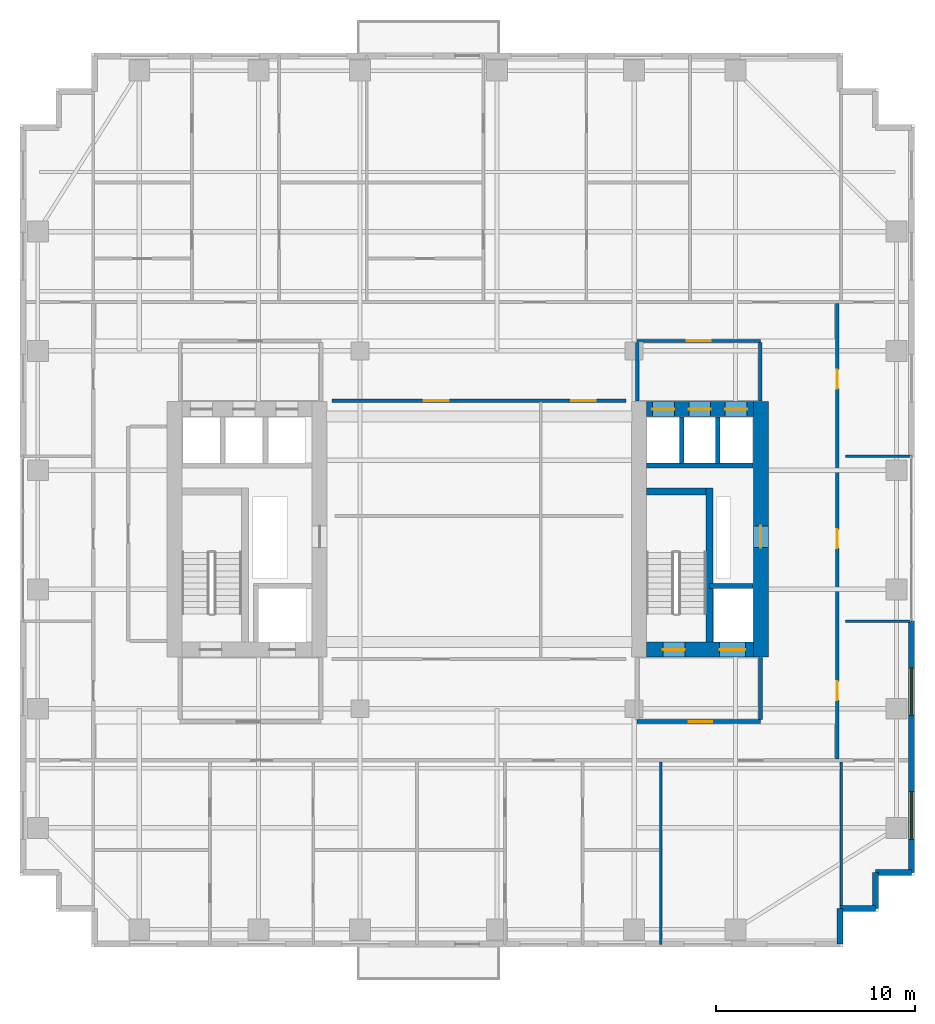
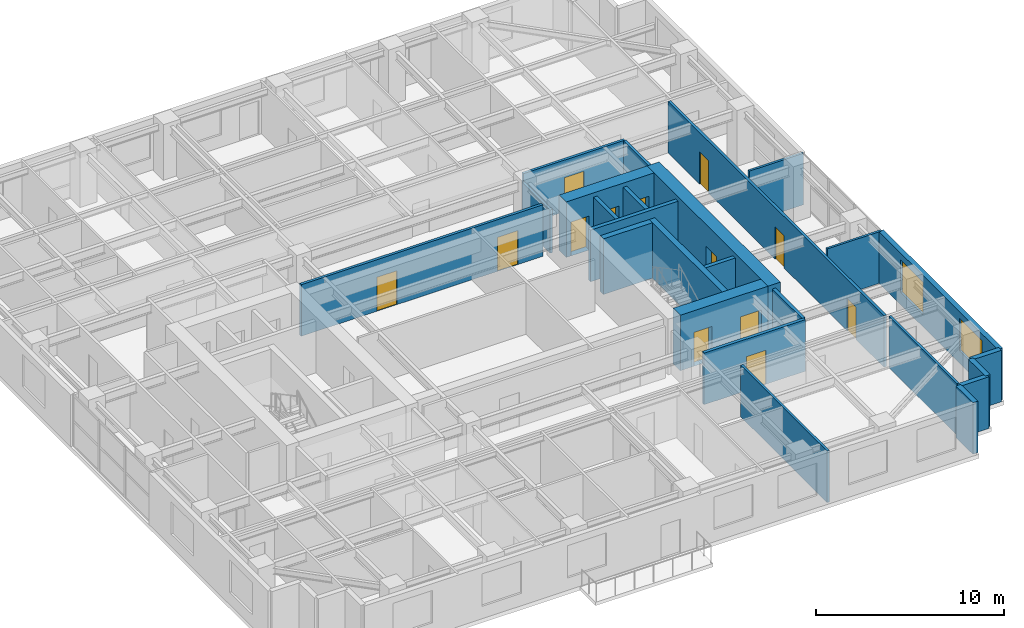
# One storey, part 10 of 16: 25 walls, 13 doors, 2 windows, 15 openings.
"""IFC4 building model written with IfcOpenShell, lengths in metres."""

from ifc_helpers import new_model, si_unit, direction, frame, frame_2d, origin, place, context, subcontext, project, spatial, rectangle, extrude, source, transform, mapped, material, layer, layer_set, type_object, element, fill, save


model = new_model("IFC4")

# Units and contexts
model_context = context("Model", 3, precision=1e-05, world=origin(), true_north=direction((0.0, 1.0)))
body_context = subcontext(model_context, "Body", "Model", "MODEL_VIEW")
ifc_project = project(units=[si_unit("LENGTHUNIT", "METRE"), si_unit("AREAUNIT", "SQUARE_METRE"), si_unit("VOLUMEUNIT", "CUBIC_METRE"), si_unit("PLANEANGLEUNIT", "RADIAN"), si_unit("MASSUNIT", "GRAM", prefix="KILO")], contexts=[model_context])

# Site, building, storey
site_placement = place(None, origin())
site = spatial("IfcSite", under=ifc_project, at=site_placement, CompositionType="ELEMENT")
building_placement = place(site_placement, origin())
building = spatial("IfcBuilding", under=site, at=building_placement, Name="Khoralis Quay Care Tower", CompositionType="ELEMENT")
storey_placement = place(building_placement, frame((0.0, 0.0, 137.699951171875)))
storey = spatial("IfcBuildingStorey", under=building, at=storey_placement, Name="L36", CompositionType="ELEMENT", Elevation=137.699951171875)

# Wall, opening, door
ifc_material_1 = material(Name="Gypsum plasterboard on acoustic metal stud")
ifc_layer_1 = layer(ifc_material_1, 0.199951171875)
ifc_layer_set_1 = layer_set([ifc_layer_1], Name="Gypsum plasterboard on acoustic metal stud")
wall_type_1 = type_object("IfcWallType", Name="WL-COMP-200", PredefinedType="PARTITIONING", material=ifc_layer_set_1)
wall_1_placement = place(storey_placement, frame((31.050048828125, 11.35009765625, 0.0), z_axis=(0.0, 0.0, 1.0), x_axis=(1.0, 0.0, 0.0)))
wall_1 = element("IfcWall", 1, at=wall_1_placement, inside=storey, type_object=wall_type_1, Name="L36 East Firefighting Lobby South Wall", PredefinedType="PARTITIONING", context=body_context, shape_type="SweptSolid", body=[
    extrude(rectangle(XDim=6.199951171875, YDim=0.199951171875, at=frame_2d((3.10009765625, 0.0))), origin(), (0.0, 0.0, 1.0), 3.340087890625),
])
opening_1_placement = place(wall_1_placement, frame((2.585693359375, 0.0, 0.0)))
opening_1 = element("IfcOpeningElement", 2, at=opening_1_placement, cuts=wall_1, Name="Opening FD1", PredefinedType="OPENING", context=body_context, shape_type="SweptSolid", body=[
    extrude(rectangle(XDim=1.199951171875, YDim=2.199951171875, at=frame_2d((0.60009765625, 1.10009765625))), frame((0.0, 0.10986328125, 0.0), z_axis=(0.0, -1.0, 0.0), x_axis=(1.0, 0.0, 0.0)), (0.0, 0.0, 1.0), 0.219970703125),
])
ifc_material_2 = material(Name="Fire-rated painted steel", Category="steel")
door_type_1 = type_object("IfcDoorType", Name="DR-FFL-1200X2200", OperationType="NOTDEFINED", PredefinedType="DOOR", material=ifc_material_2)
shared_shape_1 = source(origin(), body_context, "Body", "SweptSolid", [
    extrude(rectangle(XDim=1.199951171875, YDim=2.199951171875, at=frame_2d((0.60009765625, 1.10009765625))), frame((0.0, 0.02490234375, 0.0), z_axis=(0.0, -1.0, 0.0), x_axis=(1.0, 0.0, 0.0)), (0.0, 0.0, 1.0), 0.050048828125),
])
door_1_placement = place(opening_1_placement, origin())
door_1 = element("IfcDoor", 3, at=door_1_placement, inside=storey, type_object=door_type_1, Name="L36 East Firefighting Lobby Fire Door", OperationType="SINGLE_SWING_LEFT", OverallHeight=2.199951171875, OverallWidth=1.199951171875, PredefinedType="DOOR", context=body_context, shape_type="MappedRepresentation", body=[
    mapped(shared_shape_1, transform((0.0, 0.0, 0.0), scale=1.0)),
])
fill(opening_1, door_1)

# Wall
wall_2_placement = place(storey_placement, frame((37.25, 11.445068359375, 0.0), z_axis=(0.0, 0.0, 1.0), x_axis=(0.0, 1.0, 0.0)))
element("IfcWall", 4, at=wall_2_placement, inside=storey, type_object=wall_type_1, Name="L36 East Firefighting Lobby East Wall", PredefinedType="PARTITIONING", context=body_context, shape_type="SweptSolid", body=[
    extrude(rectangle(XDim=3.135009765625, YDim=0.199951171875, at=frame_2d((1.5673828125, 0.0))), origin(), (0.0, 0.0, 1.0), 3.340087890625),
])

# Wall, opening, door
ifc_material_3 = material(Name="Concrete C80/95", Category="concrete")
ifc_layer_2 = layer(ifc_material_3, 0.75)
ifc_layer_set_2 = layer_set([ifc_layer_2], Name="Concrete C80/95")
wall_type_2 = type_object("IfcWallType", Name="WL-CORE-750", PredefinedType="SHEAR", material=ifc_layer_set_2)
wall_3_placement = place(storey_placement, frame((37.27490234375, 14.60009765625, 0.0), z_axis=(0.0, 0.0, 1.0), x_axis=(0.0, 1.0, 0.0)))
wall_3 = element("IfcWall", 5, at=wall_3_placement, inside=storey, type_object=wall_type_2, Name="L36 ECORE East Shear Wall", PredefinedType="SHEAR", context=body_context, shape_type="SweptSolid", body=[
    extrude(rectangle(XDim=12.849853515625, YDim=0.75, at=frame_2d((6.4248046875, 0.0))), origin(), (0.0, 0.0, 1.0), 3.60009765625),
])
opening_2_placement = place(wall_3_placement, frame((5.5, 0.0, 0.0)))
opening_2 = element("IfcOpeningElement", 6, at=opening_2_placement, cuts=wall_3, Name="Opening SD1", PredefinedType="OPENING", context=body_context, shape_type="SweptSolid", body=[
    extrude(rectangle(XDim=1.10009765625, YDim=2.199951171875, at=frame_2d((0.550048828125, 1.10009765625))), frame((0.0, 0.385009765625, 0.0), z_axis=(0.0, -1.0, 0.0), x_axis=(1.0, 0.0, 0.0)), (0.0, 0.0, 1.0), 0.77001953125),
])
door_type_2 = type_object("IfcDoorType", Name="DR-STAIR-1100X2200", OperationType="NOTDEFINED", PredefinedType="DOOR", material=ifc_material_2)
shared_shape_2 = source(origin(), body_context, "Body", "SweptSolid", [
    extrude(rectangle(XDim=1.10009765625, YDim=2.199951171875, at=frame_2d((0.550048828125, 1.10009765625))), frame((0.0, 0.02490234375, 0.0), z_axis=(0.0, -1.0, 0.0), x_axis=(1.0, 0.0, 0.0)), (0.0, 0.0, 1.0), 0.050048828125),
])
door_2_placement = place(opening_2_placement, frame((1.10009765625, 0.0, 0.0), z_axis=(0.0, 0.0, 1.0), x_axis=(-1.0, 0.0, 0.0)))
door_2 = element("IfcDoor", 7, at=door_2_placement, inside=storey, type_object=door_type_2, Name="L36 East MEP Riser Door", OperationType="SINGLE_SWING_LEFT", OverallHeight=2.199951171875, OverallWidth=1.10009765625, PredefinedType="DOOR", context=body_context, shape_type="MappedRepresentation", body=[
    mapped(shared_shape_2, transform((0.0, 0.0, 0.0), scale=1.0)),
])
fill(opening_2, door_2)

# Wall, openings, doors
wall_4_placement = place(storey_placement, frame((31.52001953125, 14.97509765625, 0.0), z_axis=(0.0, 0.0, 1.0), x_axis=(1.0, 0.0, 0.0)))
wall_4 = element("IfcWall", 8, at=wall_4_placement, inside=storey, type_object=wall_type_2, Name="L36 ECORE South Shear Wall", PredefinedType="SHEAR", context=body_context, shape_type="SweptSolid", body=[
    extrude(rectangle(XDim=5.3798828125, YDim=0.75, at=frame_2d((2.68994140625, 0.0))), origin(), (0.0, 0.0, 1.0), 3.60009765625),
])
opening_3_placement = place(wall_4_placement, frame((0.830078125, 0.0, 0.0)))
opening_3 = element("IfcOpeningElement", 9, at=opening_3_placement, cuts=wall_4, Name="Opening SD1", PredefinedType="OPENING", context=body_context, shape_type="SweptSolid", body=[
    extrude(rectangle(XDim=1.10009765625, YDim=2.199951171875, at=frame_2d((0.550048828125, 1.10009765625))), frame((0.0, 0.385009765625, 0.0), z_axis=(0.0, -1.0, 0.0), x_axis=(1.0, 0.0, 0.0)), (0.0, 0.0, 1.0), 0.77001953125),
])
opening_4_placement = place(wall_4_placement, frame((3.679931640625, 0.0, 0.0)))
opening_4 = element("IfcOpeningElement", 10, at=opening_4_placement, cuts=wall_4, Name="Opening LD2", PredefinedType="OPENING", context=body_context, shape_type="SweptSolid", body=[
    extrude(rectangle(XDim=1.300048828125, YDim=2.199951171875, at=frame_2d((0.64990234375, 1.10009765625))), frame((0.0, 0.385009765625, 0.0), z_axis=(0.0, -1.0, 0.0), x_axis=(1.0, 0.0, 0.0)), (0.0, 0.0, 1.0), 0.77001953125),
])
door_3_placement = place(opening_3_placement, origin())
door_3 = element("IfcDoor", 11, at=door_3_placement, inside=storey, type_object=door_type_2, Name="L36 Stair ST-T2 Fire Door", OperationType="SINGLE_SWING_LEFT", OverallHeight=2.199951171875, OverallWidth=1.10009765625, PredefinedType="DOOR", context=body_context, shape_type="MappedRepresentation", body=[
    mapped(shared_shape_2, transform((0.0, 0.0, 0.0), scale=1.0)),
])
fill(opening_3, door_3)
ifc_material_4 = material(Name="Brushed stainless steel", Category="steel")
door_type_3 = type_object("IfcDoorType", Name="DR-LIFT-1300X2200", OperationType="SLIDING_TO_RIGHT", PredefinedType="DOOR", material=ifc_material_4)
shared_shape_3 = source(origin(), body_context, "Body", "SweptSolid", [
    extrude(rectangle(XDim=1.300048828125, YDim=2.199951171875, at=frame_2d((0.64990234375, 1.10009765625))), frame((0.0, 0.02490234375, 0.0), z_axis=(0.0, -1.0, 0.0), x_axis=(1.0, 0.0, 0.0)), (0.0, 0.0, 1.0), 0.050048828125),
])
door_4_placement = place(opening_4_placement, origin())
door_4 = element("IfcDoor", 12, at=door_4_placement, inside=storey, type_object=door_type_3, Name="L36 Firefighting Lift FFL-2 Landing Door", OperationType="SLIDING_TO_RIGHT", OverallHeight=2.199951171875, OverallWidth=1.300048828125, PredefinedType="DOOR", context=body_context, shape_type="MappedRepresentation", body=[
    mapped(shared_shape_3, transform((0.0, 0.0, 0.0), scale=1.0)),
])
fill(opening_4, door_4)

wall_5_placement = place(storey_placement, frame((31.52001953125, 27.074951171875, 0.0), z_axis=(0.0, 0.0, 1.0), x_axis=(1.0, 0.0, 0.0)))
wall_5 = element("IfcWall", 13, at=wall_5_placement, inside=storey, type_object=wall_type_2, Name="L36 ECORE North Shear Wall", PredefinedType="SHEAR", context=body_context, shape_type="SweptSolid", body=[
    extrude(rectangle(XDim=5.3798828125, YDim=0.75, at=frame_2d((2.68994140625, 0.0))), origin(), (0.0, 0.0, 1.0), 3.60009765625),
])
opening_5_placement = place(wall_5_placement, frame((0.300048828125, 0.0, 0.0)))
opening_5 = element("IfcOpeningElement", 14, at=opening_5_placement, cuts=wall_5, Name="Opening LD1", PredefinedType="OPENING", context=body_context, shape_type="SweptSolid", body=[
    extrude(rectangle(XDim=1.10009765625, YDim=2.199951171875, at=frame_2d((0.550048828125, 1.10009765625))), frame((0.0, 0.385009765625, 0.0), z_axis=(0.0, -1.0, 0.0), x_axis=(1.0, 0.0, 0.0)), (0.0, 0.0, 1.0), 0.77001953125),
])
opening_6_placement = place(wall_5_placement, frame((2.1298828125, 0.0, 0.0)))
opening_6 = element("IfcOpeningElement", 15, at=opening_6_placement, cuts=wall_5, Name="Opening LD1", PredefinedType="OPENING", context=body_context, shape_type="SweptSolid", body=[
    extrude(rectangle(XDim=1.10009765625, YDim=2.199951171875, at=frame_2d((0.550048828125, 1.10009765625))), frame((0.0, 0.385009765625, 0.0), z_axis=(0.0, -1.0, 0.0), x_axis=(1.0, 0.0, 0.0)), (0.0, 0.0, 1.0), 0.77001953125),
])
opening_7_placement = place(wall_5_placement, frame((3.9599609375, 0.0, 0.0)))
opening_7 = element("IfcOpeningElement", 16, at=opening_7_placement, cuts=wall_5, Name="Opening LD1", PredefinedType="OPENING", context=body_context, shape_type="SweptSolid", body=[
    extrude(rectangle(XDim=1.10009765625, YDim=2.199951171875, at=frame_2d((0.550048828125, 1.10009765625))), frame((0.0, 0.385009765625, 0.0), z_axis=(0.0, -1.0, 0.0), x_axis=(1.0, 0.0, 0.0)), (0.0, 0.0, 1.0), 0.77001953125),
])
door_type_4 = type_object("IfcDoorType", Name="DR-LIFT-1100X2200", OperationType="SLIDING_TO_LEFT", PredefinedType="DOOR", material=ifc_material_4)
shared_shape_4 = source(origin(), body_context, "Body", "SweptSolid", [
    extrude(rectangle(XDim=1.10009765625, YDim=2.199951171875, at=frame_2d((0.550048828125, 1.10009765625))), frame((0.0, 0.02490234375, 0.0), z_axis=(0.0, -1.0, 0.0), x_axis=(1.0, 0.0, 0.0)), (0.0, 0.0, 1.0), 0.050048828125),
])
door_5_placement = place(opening_5_placement, origin())
door_5 = element("IfcDoor", 17, at=door_5_placement, inside=storey, type_object=door_type_4, Name="L36 Lift PLL2 Landing Door", OperationType="SLIDING_TO_LEFT", OverallHeight=2.199951171875, OverallWidth=1.10009765625, PredefinedType="DOOR", context=body_context, shape_type="MappedRepresentation", body=[
    mapped(shared_shape_4, transform((0.0, 0.0, 0.0), scale=1.0)),
])
fill(opening_5, door_5)
door_6_placement = place(opening_6_placement, origin())
door_6 = element("IfcDoor", 18, at=door_6_placement, inside=storey, type_object=door_type_4, Name="L36 Lift PLM2 Landing Door", OperationType="SLIDING_TO_LEFT", OverallHeight=2.199951171875, OverallWidth=1.10009765625, PredefinedType="DOOR", context=body_context, shape_type="MappedRepresentation", body=[
    mapped(shared_shape_4, transform((0.0, 0.0, 0.0), scale=1.0)),
])
fill(opening_6, door_6)
door_7_placement = place(opening_7_placement, origin())
door_7 = element("IfcDoor", 19, at=door_7_placement, inside=storey, type_object=door_type_4, Name="L36 Lift PLH2 Landing Door", OperationType="SLIDING_TO_LEFT", OverallHeight=2.199951171875, OverallWidth=1.10009765625, PredefinedType="DOOR", context=body_context, shape_type="MappedRepresentation", body=[
    mapped(shared_shape_4, transform((0.0, 0.0, 0.0), scale=1.0)),
])
fill(opening_7, door_7)

# Wall, opening, door
ifc_layer_3 = layer(ifc_material_1, 0.1650390625)
ifc_layer_set_3 = layer_set([ifc_layer_3], Name="Gypsum plasterboard on acoustic metal stud")
wall_type_3 = type_object("IfcWallType", Name="WL-CORR-165", PredefinedType="PARTITIONING", material=ifc_layer_set_3)
wall_6_placement = place(storey_placement, frame((31.050048828125, 30.5, 0.0), z_axis=(0.0, 0.0, 1.0), x_axis=(1.0, 0.0, 0.0)))
wall_6 = element("IfcWall", 20, at=wall_6_placement, inside=storey, type_object=wall_type_3, Name="L36 East Lift Lobby North Wall", PredefinedType="PARTITIONING", context=body_context, shape_type="SweptSolid", body=[
    extrude(rectangle(XDim=6.199951171875, YDim=0.1650390625, at=frame_2d((3.10009765625, 0.0))), origin(), (0.0, 0.0, 1.0), 3.340087890625),
])
opening_8_placement = place(wall_6_placement, frame((2.5, 0.0, 0.0)))
opening_8 = element("IfcOpeningElement", 21, at=opening_8_placement, cuts=wall_6, Name="Opening FD1", PredefinedType="OPENING", context=body_context, shape_type="SweptSolid", body=[
    extrude(rectangle(XDim=1.199951171875, YDim=2.199951171875, at=frame_2d((0.60009765625, 1.10009765625))), frame((0.0, 0.092529296875, 0.0), z_axis=(0.0, -1.0, 0.0), x_axis=(1.0, 0.0, 0.0)), (0.0, 0.0, 1.0), 0.18505859375),
])
door_8_placement = place(opening_8_placement, origin())
door_8 = element("IfcDoor", 22, at=door_8_placement, inside=storey, type_object=door_type_1, Name="L36 East Lift Lobby Double Door", OperationType="DOUBLE_DOOR_SINGLE_SWING", OverallHeight=2.199951171875, OverallWidth=1.199951171875, PredefinedType="DOOR", context=body_context, shape_type="MappedRepresentation", body=[
    mapped(shared_shape_1, transform((0.0, 0.0, 0.0), scale=1.0)),
])
fill(opening_8, door_8)

# Walls
wall_7_placement = place(storey_placement, frame((31.050048828125, 27.469970703125, 0.0), z_axis=(0.0, 0.0, 1.0), x_axis=(0.0, 1.0, 0.0)))
element("IfcWall", 23, at=wall_7_placement, inside=storey, type_object=wall_type_3, Name="L36 East Lift Lobby West Wall", PredefinedType="PARTITIONING", context=body_context, shape_type="SweptSolid", body=[
    extrude(rectangle(XDim=2.95263671875, YDim=0.1650390625, at=frame_2d((1.476318359375, 0.0))), origin(), (0.0, 0.0, 1.0), 2.796142578125),
])
wall_8_placement = place(storey_placement, frame((37.25, 27.469970703125, 0.0), z_axis=(0.0, 0.0, 1.0), x_axis=(0.0, 1.0, 0.0)))
element("IfcWall", 24, at=wall_8_placement, inside=storey, type_object=wall_type_3, Name="L36 East Lift Lobby East Wall", PredefinedType="PARTITIONING", context=body_context, shape_type="SweptSolid", body=[
    extrude(rectangle(XDim=2.95263671875, YDim=0.1650390625, at=frame_2d((1.476318359375, 0.0))), origin(), (0.0, 0.0, 1.0), 3.340087890625),
])

# Wall, openings, doors
wall_9_placement = place(storey_placement, frame((41.1201171875, 9.4775390625, 0.0), z_axis=(0.0, 0.0, 1.0), x_axis=(0.0, 1.0, 0.0)))
wall_9 = element("IfcWall", 25, at=wall_9_placement, inside=storey, type_object=wall_type_3, Name="L36 East Loop Corridor Wall", PredefinedType="PARTITIONING", context=body_context, shape_type="SweptSolid", body=[
    extrude(rectangle(XDim=22.905029296875, YDim=0.1650390625, at=frame_2d((11.45263671875, 0.0))), origin(), (0.0, 0.0, 1.0), 3.340087890625),
])
opening_9_placement = place(wall_9_placement, frame((2.947509765625, 0.0, 0.0)))
opening_9 = element("IfcOpeningElement", 26, at=opening_9_placement, cuts=wall_9, Name="Opening ID1", PredefinedType="OPENING", context=body_context, shape_type="SweptSolid", body=[
    extrude(rectangle(XDim=0.949951171875, YDim=2.10009765625, at=frame_2d((0.47509765625, 1.050048828125))), frame((0.0, 0.092529296875, 0.0), z_axis=(0.0, -1.0, 0.0), x_axis=(1.0, 0.0, 0.0)), (0.0, 0.0, 1.0), 0.18505859375),
])
opening_10_placement = place(wall_9_placement, frame((10.597412109375, 0.0, 0.0)))
opening_10 = element("IfcOpeningElement", 27, at=opening_10_placement, cuts=wall_9, Name="Opening ID1", PredefinedType="OPENING", context=body_context, shape_type="SweptSolid", body=[
    extrude(rectangle(XDim=0.949951171875, YDim=2.10009765625, at=frame_2d((0.47509765625, 1.050048828125))), frame((0.0, 0.092529296875, 0.0), z_axis=(0.0, -1.0, 0.0), x_axis=(1.0, 0.0, 0.0)), (0.0, 0.0, 1.0), 0.18505859375),
])
opening_11_placement = place(wall_9_placement, frame((18.62744140625, 0.0, 0.0)))
opening_11 = element("IfcOpeningElement", 28, at=opening_11_placement, cuts=wall_9, Name="Opening ID1", PredefinedType="OPENING", context=body_context, shape_type="SweptSolid", body=[
    extrude(rectangle(XDim=0.949951171875, YDim=2.10009765625, at=frame_2d((0.47509765625, 1.050048828125))), frame((0.0, 0.092529296875, 0.0), z_axis=(0.0, -1.0, 0.0), x_axis=(1.0, 0.0, 0.0)), (0.0, 0.0, 1.0), 0.18505859375),
])
ifc_material_5 = material(Name="Acoustic hardwood timber", Category="wood")
door_type_5 = type_object("IfcDoorType", Name="DR-ROOM-950X2100", OperationType="NOTDEFINED", PredefinedType="DOOR", material=ifc_material_5)
shared_shape_5 = source(origin(), body_context, "Body", "SweptSolid", [
    extrude(rectangle(XDim=0.949951171875, YDim=2.10009765625, at=frame_2d((0.47509765625, 1.050048828125))), frame((0.0, 0.02490234375, 0.0), z_axis=(0.0, -1.0, 0.0), x_axis=(1.0, 0.0, 0.0)), (0.0, 0.0, 1.0), 0.050048828125),
])
door_9_placement = place(opening_9_placement, frame((0.949951171875, 0.0, 0.0), z_axis=(0.0, 0.0, 1.0), x_axis=(-1.0, 0.0, 0.0)))
door_9 = element("IfcDoor", 29, at=door_9_placement, inside=storey, type_object=door_type_5, Name="L36 Therapy Consultation Room Door", OperationType="SINGLE_SWING_LEFT", OverallHeight=2.10009765625, OverallWidth=0.949951171875, PredefinedType="DOOR", context=body_context, shape_type="MappedRepresentation", body=[
    mapped(shared_shape_5, transform((0.0, 0.0, 0.0), scale=1.0)),
])
fill(opening_9, door_9)
door_10_placement = place(opening_10_placement, frame((0.949951171875, 0.0, 0.0), z_axis=(0.0, 0.0, 1.0), x_axis=(-1.0, 0.0, 0.0)))
door_10 = element("IfcDoor", 30, at=door_10_placement, inside=storey, type_object=door_type_5, Name="L36 Assisted Activity Lounge Door", OperationType="SINGLE_SWING_RIGHT", OverallHeight=2.10009765625, OverallWidth=0.949951171875, PredefinedType="DOOR", context=body_context, shape_type="MappedRepresentation", body=[
    mapped(shared_shape_5, transform((0.0, 0.0, 0.0), scale=1.0)),
])
fill(opening_10, door_10)
door_11_placement = place(opening_11_placement, frame((0.949951171875, 0.0, 0.0), z_axis=(0.0, 0.0, 1.0), x_axis=(-1.0, 0.0, 0.0)))
door_11 = element("IfcDoor", 31, at=door_11_placement, inside=storey, type_object=door_type_5, Name="L36 Nurse Charting Office Door", OperationType="SINGLE_SWING_LEFT", OverallHeight=2.10009765625, OverallWidth=0.949951171875, PredefinedType="DOOR", context=body_context, shape_type="MappedRepresentation", body=[
    mapped(shared_shape_5, transform((0.0, 0.0, 0.0), scale=1.0)),
])
fill(opening_11, door_11)

wall_10_placement = place(storey_placement, frame((15.699951171875, 27.5, 0.0), z_axis=(0.0, 0.0, 1.0), x_axis=(1.0, 0.0, 0.0)))
wall_10 = element("IfcWall", 32, at=wall_10_placement, inside=storey, type_object=wall_type_3, Name="L36 Central Clinical North Wall", PredefinedType="PARTITIONING", context=body_context, shape_type="SweptSolid", body=[
    extrude(rectangle(XDim=14.800048828125, YDim=0.1650390625, at=frame_2d((7.39990234375, 0.0))), origin(), (0.0, 0.0, 1.0), 3.340087890625),
])
opening_12_placement = place(wall_10_placement, frame((4.625, 0.0, 0.0)))
opening_12 = element("IfcOpeningElement", 33, at=opening_12_placement, cuts=wall_10, Name="Opening CD1", PredefinedType="OPENING", context=body_context, shape_type="SweptSolid", body=[
    extrude(rectangle(XDim=1.25, YDim=2.199951171875, at=frame_2d((0.625, 1.10009765625))), frame((0.0, 0.092529296875, 0.0), z_axis=(0.0, -1.0, 0.0), x_axis=(1.0, 0.0, 0.0)), (0.0, 0.0, 1.0), 0.18505859375),
])
opening_13_placement = place(wall_10_placement, frame((12.02490234375, 0.0, 0.0)))
opening_13 = element("IfcOpeningElement", 34, at=opening_13_placement, cuts=wall_10, Name="Opening CD1", PredefinedType="OPENING", context=body_context, shape_type="SweptSolid", body=[
    extrude(rectangle(XDim=1.25, YDim=2.199951171875, at=frame_2d((0.625, 1.10009765625))), frame((0.0, 0.092529296875, 0.0), z_axis=(0.0, -1.0, 0.0), x_axis=(1.0, 0.0, 0.0)), (0.0, 0.0, 1.0), 0.18505859375),
])
door_type_6 = type_object("IfcDoorType", Name="DR-CARE-1250X2200", OperationType="NOTDEFINED", PredefinedType="DOOR", material=ifc_material_5)
shared_shape_6 = source(origin(), body_context, "Body", "SweptSolid", [
    extrude(rectangle(XDim=1.25, YDim=2.199951171875, at=frame_2d((0.625, 1.10009765625))), frame((0.0, 0.02490234375, 0.0), z_axis=(0.0, -1.0, 0.0), x_axis=(1.0, 0.0, 0.0)), (0.0, 0.0, 1.0), 0.050048828125),
])
door_12_placement = place(opening_12_placement, frame((1.25, 0.0, 0.0), z_axis=(0.0, 0.0, 1.0), x_axis=(-1.0, 0.0, 0.0)))
door_12 = element("IfcDoor", 35, at=door_12_placement, inside=storey, type_object=door_type_6, Name="L36 Library Lounge Door", OperationType="SINGLE_SWING_LEFT", OverallHeight=2.199951171875, OverallWidth=1.25, PredefinedType="DOOR", context=body_context, shape_type="MappedRepresentation", body=[
    mapped(shared_shape_6, transform((0.0, 0.0, 0.0), scale=1.0)),
])
fill(opening_12, door_12)
door_13_placement = place(opening_13_placement, frame((1.25, 0.0, 0.0), z_axis=(0.0, 0.0, 1.0), x_axis=(-1.0, 0.0, 0.0)))
door_13 = element("IfcDoor", 36, at=door_13_placement, inside=storey, type_object=door_type_6, Name="L36 Occupational Therapy Door", OperationType="SINGLE_SWING_RIGHT", OverallHeight=2.199951171875, OverallWidth=1.25, PredefinedType="DOOR", context=body_context, shape_type="MappedRepresentation", body=[
    mapped(shared_shape_6, transform((0.0, 0.0, 0.0), scale=1.0)),
])
fill(opening_13, door_13)

# Walls
ifc_material_6 = material(Name="Precast concrete C45/55", Category="concrete")
ifc_layer_4 = layer(ifc_material_6, 0.300048828125)
ifc_layer_set_4 = layer_set([ifc_layer_4], Name="Precast concrete C45/55")
wall_type_4 = type_object("IfcWallType", Name="WL-EXT-REF-300", PredefinedType="SOLIDWALL", material=ifc_layer_set_4)
for number, where, z_axis, x_axis, name in (
    (37, (41.25, 0.14990234375, 0.0), (0.0, 0.0, 1.0), (0.0, 1.0, 0.0), "L36 External Facade Wall WL-EXT-L36-P1-C1"),
    (38, (41.25, 1.949951171875, 0.0), (0.0, 0.0, 1.0), (1.0, 0.0, 0.0), "L36 External Facade Wall WL-EXT-L36-P1-C2"),
    (39, (43.050048828125, 1.949951171875, 0.0), (0.0, 0.0, 1.0), (0.0, 1.0, 0.0), "L36 External Facade Wall WL-EXT-L36-P1-C3"),
    (40, (43.050048828125, 3.75, 0.0), (0.0, 0.0, 1.0), (1.0, 0.0, 0.0), "L36 External Facade Wall WL-EXT-L36-P1-C4"),
):
    element("IfcWall", number, at=place(storey_placement, frame(where, z_axis=z_axis, x_axis=x_axis)), inside=storey, type_object=wall_type_4, Name=name, PredefinedType="SOLIDWALL", context=body_context, shape_type="SweptSolid", body=[
        extrude(rectangle(XDim=1.800048828125, YDim=0.300048828125, at=frame_2d((0.89990234375, 0.0))), origin(), (0.0, 0.0, 1.0), 3.340087890625),
    ])

# Wall, openings, windows
wall_11_placement = place(storey_placement, frame((44.85009765625, 3.75, 0.0), z_axis=(0.0, 0.0, 1.0), x_axis=(0.0, 1.0, 0.0)))
wall_11 = element("IfcWall", 41, at=wall_11_placement, inside=storey, type_object=wall_type_4, Name="L36 External Facade Wall WL-EXT-L36-P1-E5A", PredefinedType="SOLIDWALL", context=body_context, shape_type="SweptSolid", body=[
    extrude(rectangle(XDim=12.64990234375, YDim=0.300048828125, at=frame_2d((6.324951171875, 0.0))), origin(), (0.0, 0.0, 1.0), 3.340087890625),
])
opening_14_placement = place(wall_11_placement, frame((1.675048828125, 0.0, 0.800048828125)))
opening_14 = element("IfcOpeningElement", 42, at=opening_14_placement, cuts=wall_11, Name="Opening W1", PredefinedType="OPENING", context=body_context, shape_type="SweptSolid", body=[
    extrude(rectangle(XDim=2.39990234375, YDim=2.10009765625, at=frame_2d((1.199951171875, 1.050048828125))), frame((0.0, 0.16015625, 0.0), z_axis=(0.0, -1.0, 0.0), x_axis=(1.0, 0.0, 0.0)), (0.0, 0.0, 1.0), 0.320068359375),
])
opening_15_placement = place(wall_11_placement, frame((7.89990234375, 0.0, 0.800048828125)))
opening_15 = element("IfcOpeningElement", 43, at=opening_15_placement, cuts=wall_11, Name="Opening W1", PredefinedType="OPENING", context=body_context, shape_type="SweptSolid", body=[
    extrude(rectangle(XDim=2.39990234375, YDim=2.10009765625, at=frame_2d((1.199951171875, 1.050048828125))), frame((0.0, 0.16015625, 0.0), z_axis=(0.0, -1.0, 0.0), x_axis=(1.0, 0.0, 0.0)), (0.0, 0.0, 1.0), 0.320068359375),
])
ifc_material_7 = material(Name="Low-E solar-control double glazing", Category="glass")
window_type = type_object("IfcWindowType", Name="WN-POD-2400X2100", PartitioningType="SINGLE_PANEL", PredefinedType="WINDOW", material=ifc_material_7)
shared_shape_7 = source(origin(), body_context, "Body", "SweptSolid", [
    extrude(rectangle(XDim=2.39990234375, YDim=2.10009765625, at=frame_2d((1.199951171875, 1.050048828125))), frame((0.0, 0.030029296875, 0.0), z_axis=(0.0, -1.0, 0.0), x_axis=(1.0, 0.0, 0.0)), (0.0, 0.0, 1.0), 0.06005859375),
])
window_1_placement = place(opening_14_placement, origin())
window_1 = element("IfcWindow", 44, at=window_1_placement, inside=storey, type_object=window_type, Name="WN-L36-P1-E5A Facade Window 01", OverallHeight=2.10009765625, OverallWidth=2.39990234375, PartitioningType="SINGLE_PANEL", PredefinedType="WINDOW", context=body_context, shape_type="MappedRepresentation", body=[
    mapped(shared_shape_7, transform((0.0, 0.0, 0.0), scale=1.0)),
])
fill(opening_14, window_1)
window_2_placement = place(opening_15_placement, origin())
window_2 = element("IfcWindow", 45, at=window_2_placement, inside=storey, type_object=window_type, Name="WN-L36-P1-E5A Facade Window 02", OverallHeight=2.10009765625, OverallWidth=2.39990234375, PartitioningType="SINGLE_PANEL", PredefinedType="WINDOW", context=body_context, shape_type="MappedRepresentation", body=[
    mapped(shared_shape_7, transform((0.0, 0.0, 0.0), scale=1.0)),
])
fill(opening_15, window_2)

# Walls
ifc_material_8 = material(Name="Concrete C40/50", Category="concrete")
ifc_layer_5 = layer(ifc_material_8, 0.35009765625)
ifc_layer_set_5 = layer_set([ifc_layer_5], Name="Concrete C40/50")
wall_type_5 = type_object("IfcWallType", Name="WL-SC-CORE-350", PredefinedType="SHEAR", material=ifc_layer_set_5)
wall_12_placement = place(storey_placement, frame((34.695068359375, 15.35009765625, 0.0), z_axis=(0.0, 0.0, 1.0), x_axis=(0.0, 1.0, 0.0)))
element("IfcWall", 46, at=wall_12_placement, inside=storey, type_object=wall_type_5, Name="L36 Stair ST-T2 Shear Baffle Wall East", PredefinedType="SHEAR", context=body_context, shape_type="SweptSolid", body=[
    extrude(rectangle(XDim=7.75, YDim=0.35009765625, at=frame_2d((3.875, 0.0))), origin(), (0.0, 0.0, 1.0), 3.60009765625),
])
wall_13_placement = place(storey_placement, frame((31.52001953125, 22.925048828125, 0.0), z_axis=(0.0, 0.0, 1.0), x_axis=(1.0, 0.0, 0.0)))
element("IfcWall", 47, at=wall_13_placement, inside=storey, type_object=wall_type_5, Name="L36 Stair ST-T2 Shear Baffle Wall North", PredefinedType="SHEAR", context=body_context, shape_type="SweptSolid", body=[
    extrude(rectangle(XDim=3.0, YDim=0.35009765625, at=frame_2d((1.5, 0.0))), origin(), (0.0, 0.0, 1.0), 3.60009765625),
])
ifc_layer_6 = layer(ifc_material_1, 0.239990234375)
ifc_layer_set_6 = layer_set([ifc_layer_6], Name="Gypsum plasterboard on acoustic metal stud")
wall_type_6 = type_object("IfcWallType", Name="WL-SHAFT-240", PredefinedType="PARTITIONING", material=ifc_layer_set_6)
wall_14_placement = place(storey_placement, frame((34.679931640625, 18.169921875, 0.0), z_axis=(0.0, 0.0, 1.0), x_axis=(1.0, 0.0, 0.0)))
element("IfcWall", 48, at=wall_14_placement, inside=storey, type_object=wall_type_6, Name="L36 FFL-2 Shaft Wall North", PredefinedType="PARTITIONING", context=body_context, shape_type="SweptSolid", body=[
    extrude(rectangle(XDim=2.199951171875, YDim=0.239990234375, at=frame_2d((1.10009765625, 0.0))), origin(), (0.0, 0.0, 1.0), 3.340087890625),
])
wall_15_placement = place(storey_placement, frame((31.52001953125, 24.22998046875, 0.0), z_axis=(0.0, 0.0, 1.0), x_axis=(1.0, 0.0, 0.0)))
element("IfcWall", 49, at=wall_15_placement, inside=storey, type_object=wall_type_6, Name="L36 East Passenger Shaft South Wall", PredefinedType="PARTITIONING", context=body_context, shape_type="SweptSolid", body=[
    extrude(rectangle(XDim=5.35986328125, YDim=0.239990234375, at=frame_2d((2.679931640625, 0.0))), origin(), (0.0, 0.0, 1.0), 3.340087890625),
])
for number, where, z_axis, x_axis, name in (
    (50, (33.2900390625, 24.344970703125, 0.0), (0.0, 0.0, 1.0), (0.0, 1.0, 0.0), "L36 East Shaft Divider 1"),
    (51, (35.110107421875, 24.344970703125, 0.0), (0.0, 0.0, 1.0), (0.0, 1.0, 0.0), "L36 East Shaft Divider 2"),
):
    element("IfcWall", number, at=place(storey_placement, frame(where, z_axis=z_axis, x_axis=x_axis)), inside=storey, type_object=wall_type_6, Name=name, PredefinedType="PARTITIONING", context=body_context, shape_type="SweptSolid", body=[
        extrude(rectangle(XDim=2.3349609375, YDim=0.239990234375, at=frame_2d((1.16748046875, 0.0))), origin(), (0.0, 0.0, 1.0), 3.340087890625),
    ])
ifc_layer_7 = layer(ifc_material_1, 0.139892578125)
ifc_layer_set_7 = layer_set([ifc_layer_7], Name="Gypsum plasterboard on acoustic metal stud")
wall_type_7 = type_object("IfcWallType", Name="WL-UNIT-140", PredefinedType="PARTITIONING", material=ifc_layer_set_7)
for number, where, z_axis, x_axis, name in (
    (52, (41.5400390625, 16.39990234375, 0.0), (0.0, 0.0, 1.0), (1.0, 0.0, 0.0), "L36 EE Divider 1"),
    (53, (41.5400390625, 24.699951171875, 0.0), (0.0, 0.0, 1.0), (1.0, 0.0, 0.0), "L36 EE Divider 2"),
):
    element("IfcWall", number, at=place(storey_placement, frame(where, z_axis=z_axis, x_axis=x_axis)), inside=storey, type_object=wall_type_7, Name=name, PredefinedType="PARTITIONING", context=body_context, shape_type="SweptSolid", body=[
        extrude(rectangle(XDim=3.31494140625, YDim=0.139892578125, at=frame_2d((1.657470703125, 0.0))), origin(), (0.0, 0.0, 1.0), 3.340087890625),
    ])
wall_16_placement = place(storey_placement, frame((32.239990234375, 0.14501953125, 0.0), z_axis=(0.0, 0.0, 1.0), x_axis=(0.0, 1.0, 0.0)))
element("IfcWall", 54, at=wall_16_placement, inside=storey, type_object=wall_type_7, Name="L36 SB Demising Wall 2", PredefinedType="PARTITIONING", context=body_context, shape_type="SweptSolid", body=[
    extrude(rectangle(XDim=9.177490234375, YDim=0.139892578125, at=frame_2d((4.5888671875, 0.0))), origin(), (0.0, 0.0, 1.0), 3.340087890625),
])
wall_17_placement = place(storey_placement, frame((41.320068359375, 1.945068359375, 0.0), z_axis=(0.0, 0.0, 1.0), x_axis=(0.0, 1.0, 0.0)))
element("IfcWall", 55, at=wall_17_placement, inside=storey, type_object=wall_type_7, Name="L36 SB Demising Wall 3", PredefinedType="PARTITIONING", context=body_context, shape_type="SweptSolid", body=[
    extrude(rectangle(XDim=7.37744140625, YDim=0.139892578125, at=frame_2d((3.688720703125, 0.0))), origin(), (0.0, 0.0, 1.0), 3.340087890625),
])

save(model, "model.ifc")
